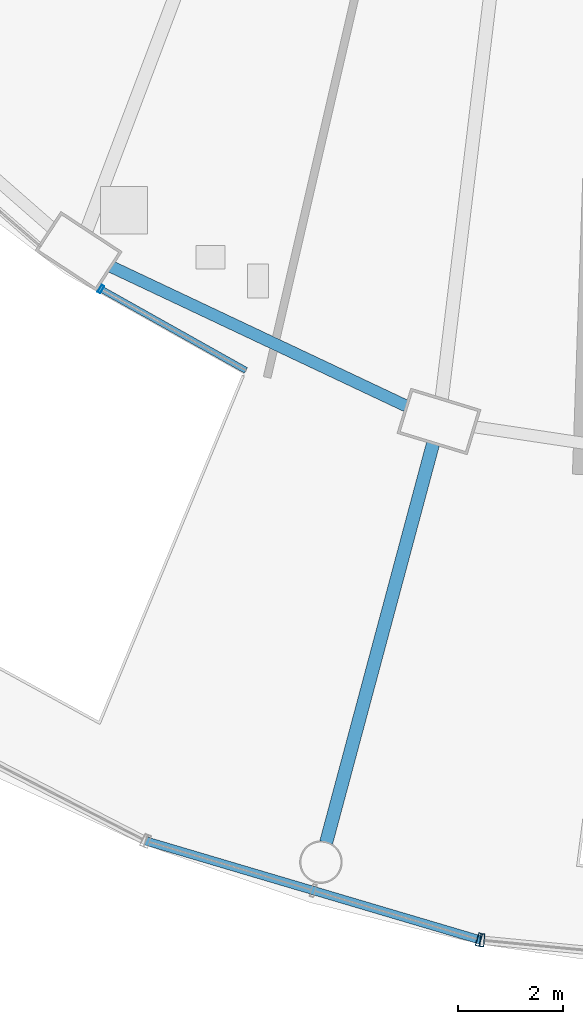
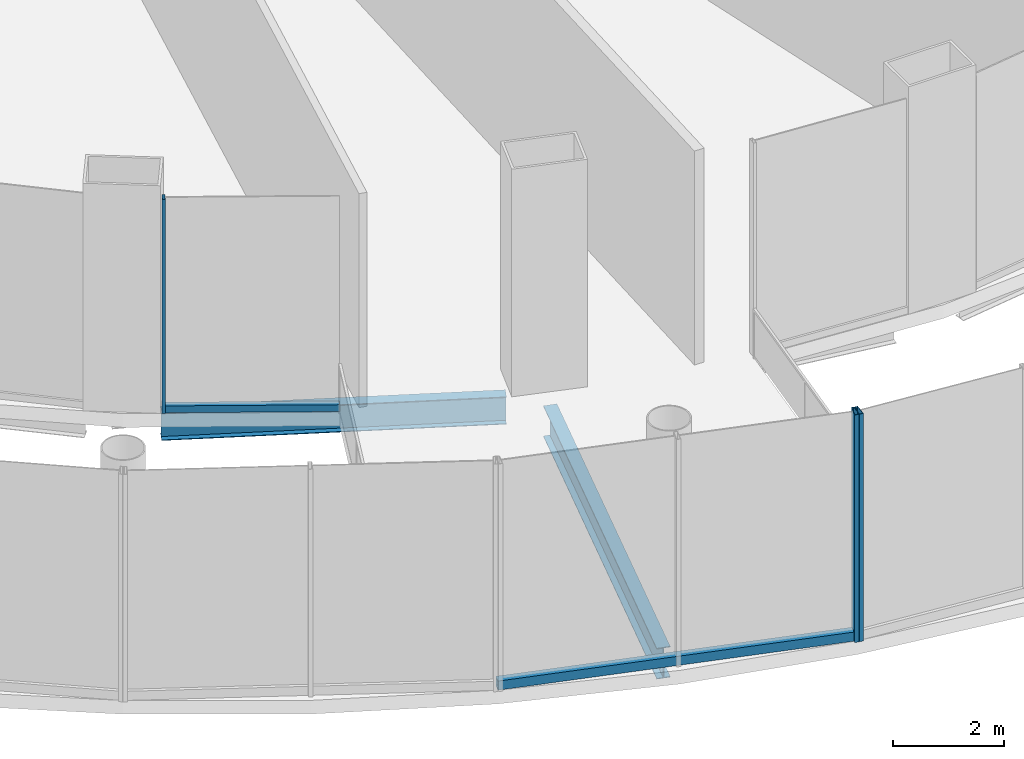
# One storey, part 4 of 47: 5 members, 2 beams, 3 elements without a shape of their own.
"""IFC4 building model written with IfcOpenShell, lengths in metres."""

from ifc_helpers import new_model, si_unit, direction, frame, origin, origin_2d, place, context, subcontext, project, spatial, hollow_rectangle, i_section, extrude, material, layer, layer_set, material_profile, profile_set, type_object, element, aggregate, save


model = new_model("IFC4")

# Units and contexts
model_context = context("Model", 3, precision=1e-05, world=origin(), true_north=direction((0.0, 1.0)))
body_context = subcontext(model_context, "Body", "Model", "MODEL_VIEW")
ifc_project = project(units=[si_unit("LENGTHUNIT", "METRE"), si_unit("AREAUNIT", "SQUARE_METRE"), si_unit("VOLUMEUNIT", "CUBIC_METRE"), si_unit("PLANEANGLEUNIT", "RADIAN"), si_unit("MASSUNIT", "GRAM", prefix="KILO")], contexts=[model_context])

# Site, building, storey
site_placement = place(None, origin())
site = spatial("IfcSite", under=ifc_project, at=site_placement, CompositionType="ELEMENT")
building_placement = place(site_placement, origin())
building = spatial("IfcBuilding", under=site, at=building_placement, Name="Nagisa Residences", CompositionType="ELEMENT")
storey_placement = place(building_placement, frame((0.0, 0.0, 7.0)))
storey = spatial("IfcBuildingStorey", under=building, at=storey_placement, Name="L01", CompositionType="ELEMENT", Elevation=7.0)

# Beam
ifc_material_1 = material(Name="Steel ASTM A572 Gr 50", Category="steel")
ifc_material_profile_1 = material_profile(ifc_material_1, i_section(OverallWidth=0.2529296875, OverallDepth=0.677978515625, WebThickness=0.01171875, FlangeThickness=0.016357421875, at=origin_2d()), Name="W690x125")
ifc_profile_set_1 = profile_set([ifc_material_profile_1], Name="Steel ASTM A572 Gr 50")
beam_type_1 = type_object("IfcBeamType", Name="Atrium bridge beam W690x125", PredefinedType="BEAM", material=ifc_profile_set_1)
beam_1_placement = place(storey_placement, frame((-3.8876953125, -31.80810546875, -0.638916015625), z_axis=(-0.258809356376, -0.965928422324, 0.0), x_axis=(0.965928422324, -0.258809356376, 0.0)))
element("IfcBeam", 1, at=beam_1_placement, inside=storey, type_object=beam_type_1, Name="beam:L01:br18", PredefinedType="BEAM", context=body_context, shape_type="SweptSolid", body=[
    extrude(i_section(OverallWidth=0.2529296875, OverallDepth=0.677978515625, WebThickness=0.01171875, FlangeThickness=0.016357421875, at=origin_2d()), origin(), (0.0, 0.0, 1.0), 7.88330078125),
])

# Curtain wall, member
ifc_material_2 = material(Name="Stainless steel curtain wall system", Category="steel")
ifc_layer_1 = layer(ifc_material_2, 0.159912109375)
ifc_layer_set_1 = layer_set([ifc_layer_1], Name="CW3 CURTAIN WALL")
curtain_wall_type_1 = type_object("IfcCurtainWallType", Name="CW3 CURTAIN WALL", PredefinedType="NOTDEFINED", material=ifc_layer_set_1)
curtain_wall_1_placement = place(storey_placement, origin())
curtain_wall_1 = element("IfcCurtainWall", 2, at=curtain_wall_1_placement, inside=storey, type_object=curtain_wall_type_1, Name="cw:CW3:L01:25", PredefinedType="NOTDEFINED")
ifc_material_3 = material(Name="Stainless steel", Category="steel")
ifc_material_profile_2 = material_profile(ifc_material_3, hollow_rectangle(XDim=0.25, YDim=0.080078125, WallThickness=0.008056640625, at=origin_2d()), Name="CW3 MULLION 250x80")
ifc_profile_set_2 = profile_set([ifc_material_profile_2], Name="Stainless steel")
member_type_1 = type_object("IfcMemberType", Name="CW3 MULLION 250x80", PredefinedType="MULLION", material=ifc_profile_set_2)
member_1_placement = place(storey_placement, frame((-3.01416015625, -41.27392578125, 0.0), z_axis=(0.0, 0.0, 1.0), x_axis=(0.283963226669, 0.958835171393, 0.0)))
member_1 = element("IfcMember", 3, at=member_1_placement, type_object=member_type_1, Name="CW3 mullion", PredefinedType="MULLION", context=body_context, shape_type="SweptSolid", body=[
    extrude(hollow_rectangle(XDim=0.25, YDim=0.080078125, WallThickness=0.008056640625, at=origin_2d()), origin(), (0.0, 0.0, 1.0), 5.0),
])

curtain_wall_2_placement = place(storey_placement, origin())
curtain_wall_2 = element("IfcCurtainWall", 4, at=curtain_wall_2_placement, inside=storey, type_object=curtain_wall_type_1, Name="cw:CW3:L01:26", PredefinedType="NOTDEFINED")
member_2_placement = place(storey_placement, frame((-2.951171875, -41.2861328125, 0.0), z_axis=(0.0, 0.0, 1.0), x_axis=(0.096249055035, 0.995357282289, 0.0)))
member_2 = element("IfcMember", 5, at=member_2_placement, type_object=member_type_1, Name="CW3 mullion", PredefinedType="MULLION", context=body_context, shape_type="SweptSolid", body=[
    extrude(hollow_rectangle(XDim=0.25, YDim=0.080078125, WallThickness=0.008056640625, at=origin_2d()), origin(), (0.0, 0.0, 1.0), 5.0),
])
aggregate(curtain_wall_2, [member_2])

# Member
ifc_material_4 = material(Name="Stainless steel", Category="steel")
ifc_material_profile_3 = material_profile(ifc_material_4, hollow_rectangle(XDim=0.159912109375, YDim=0.199951171875, WallThickness=0.008056640625, at=origin_2d()), Name="CW3 TRANSOM 160x200")
ifc_profile_set_3 = profile_set([ifc_material_profile_3], Name="Stainless steel")
member_type_2 = type_object("IfcMemberType", Name="CW3 TRANSOM 160x200", PredefinedType="USERDEFINED", material=ifc_profile_set_3)
member_3_placement = place(storey_placement, frame((-9.3740234375, -39.390380859375, 0.10009765625), z_axis=(0.958838335071, -0.283952543919, 0.0), x_axis=(0.283952543919, 0.958838335071, 0.0)))
member_3 = element("IfcMember", 6, at=member_3_placement, type_object=member_type_2, Name="CW3 transom", ObjectType="TRANSOM", PredefinedType="USERDEFINED", context=body_context, shape_type="SweptSolid", body=[
    extrude(hollow_rectangle(XDim=0.159912109375, YDim=0.199951171875, WallThickness=0.008056640625, at=origin_2d()), origin(), (0.0, 0.0, 1.0), 6.6728515625),
])

aggregate(curtain_wall_1, [member_1, member_3])

# Curtain wall, members
ifc_material_5 = material(Name="Stainless steel curtain wall system", Category="steel")
ifc_layer_2 = layer(ifc_material_5, 0.159912109375)
ifc_layer_set_2 = layer_set([ifc_layer_2], Name="CW6 CURTAIN WALL")
curtain_wall_type_2 = type_object("IfcCurtainWallType", Name="CW6 CURTAIN WALL", PredefinedType="NOTDEFINED", material=ifc_layer_set_2)
curtain_wall_3_placement = place(storey_placement, origin())
curtain_wall_3 = element("IfcCurtainWall", 7, at=curtain_wall_3_placement, inside=storey, type_object=curtain_wall_type_2, Name="cw:CW6:L01:32", PredefinedType="NOTDEFINED")
ifc_material_6 = material(Name="Stainless steel", Category="steel")
ifc_material_profile_4 = material_profile(ifc_material_6, hollow_rectangle(XDim=0.159912109375, YDim=0.06005859375, WallThickness=0.006103515625, at=origin_2d()), Name="CW6 MULLION 160x60")
ifc_profile_set_4 = profile_set([ifc_material_profile_4], Name="Stainless steel")
member_type_3 = type_object("IfcMemberType", Name="CW6 MULLION 160x60", PredefinedType="MULLION", material=ifc_profile_set_4)
member_4_placement = place(storey_placement, frame((-10.22412109375, -28.8662109375, 0.0), z_axis=(0.0, 0.0, 1.0), x_axis=(0.489376918501, 0.872072377523, 0.0)))
member_4 = element("IfcMember", 8, at=member_4_placement, type_object=member_type_3, Name="CW6 mullion", PredefinedType="MULLION", context=body_context, shape_type="SweptSolid", body=[
    extrude(hollow_rectangle(XDim=0.159912109375, YDim=0.06005859375, WallThickness=0.006103515625, at=origin_2d()), origin(), (0.0, 0.0, 1.0), 4.699951171875),
])
ifc_material_7 = material(Name="Stainless steel", Category="steel")
ifc_material_profile_5 = material_profile(ifc_material_7, hollow_rectangle(XDim=0.1201171875, YDim=0.14990234375, WallThickness=0.008056640625, at=origin_2d()), Name="CW6 TRANSOM 120x150")
ifc_profile_set_5 = profile_set([ifc_material_profile_5], Name="Stainless steel")
member_type_4 = type_object("IfcMemberType", Name="CW6 TRANSOM 120x150", PredefinedType="USERDEFINED", material=ifc_profile_set_5)
member_5_placement = place(storey_placement, frame((-10.25048828125, -28.8515625, 0.074951171875), z_axis=(0.872070011948, -0.489381133946, 0.0), x_axis=(0.489381133946, 0.872070011948, 0.0)))
member_5 = element("IfcMember", 9, at=member_5_placement, type_object=member_type_4, Name="CW6 transom", ObjectType="TRANSOM", PredefinedType="USERDEFINED", context=body_context, shape_type="SweptSolid", body=[
    extrude(hollow_rectangle(XDim=0.1201171875, YDim=0.14990234375, WallThickness=0.008056640625, at=origin_2d()), origin(), (0.0, 0.0, 1.0), 3.201171875),
])
aggregate(curtain_wall_3, [member_4, member_5])

# Beam
ifc_material_8 = material(Name="Steel ASTM A572 Gr 50", Category="steel")
ifc_material_profile_6 = material_profile(ifc_material_8, i_section(OverallWidth=0.22802734375, OverallDepth=0.60302734375, WebThickness=0.010498046875, FlangeThickness=0.014892578125, at=origin_2d()), Name="W610x101")
ifc_profile_set_6 = profile_set([ifc_material_profile_6], Name="Steel ASTM A572 Gr 50")
beam_type_2 = type_object("IfcBeamType", Name="Perimeter ring beam W610x101", PredefinedType="BEAM", material=ifc_profile_set_6)
beam_2_placement = place(storey_placement, frame((-10.02880859375, -28.439208984375, -0.6015625), z_axis=(0.904208275867, -0.427091786216, 0.0), x_axis=(0.427091786216, 0.904208275867, 0.0)))
element("IfcBeam", 10, at=beam_2_placement, inside=storey, type_object=beam_type_2, Name="beam:L01:pb17", PredefinedType="BEAM", context=body_context, shape_type="SweptSolid", body=[
    extrude(i_section(OverallWidth=0.22802734375, OverallDepth=0.60302734375, WebThickness=0.010498046875, FlangeThickness=0.014892578125, at=origin_2d()), origin(), (0.0, 0.0, 1.0), 6.227294921875),
])

save(model, "model.ifc")
